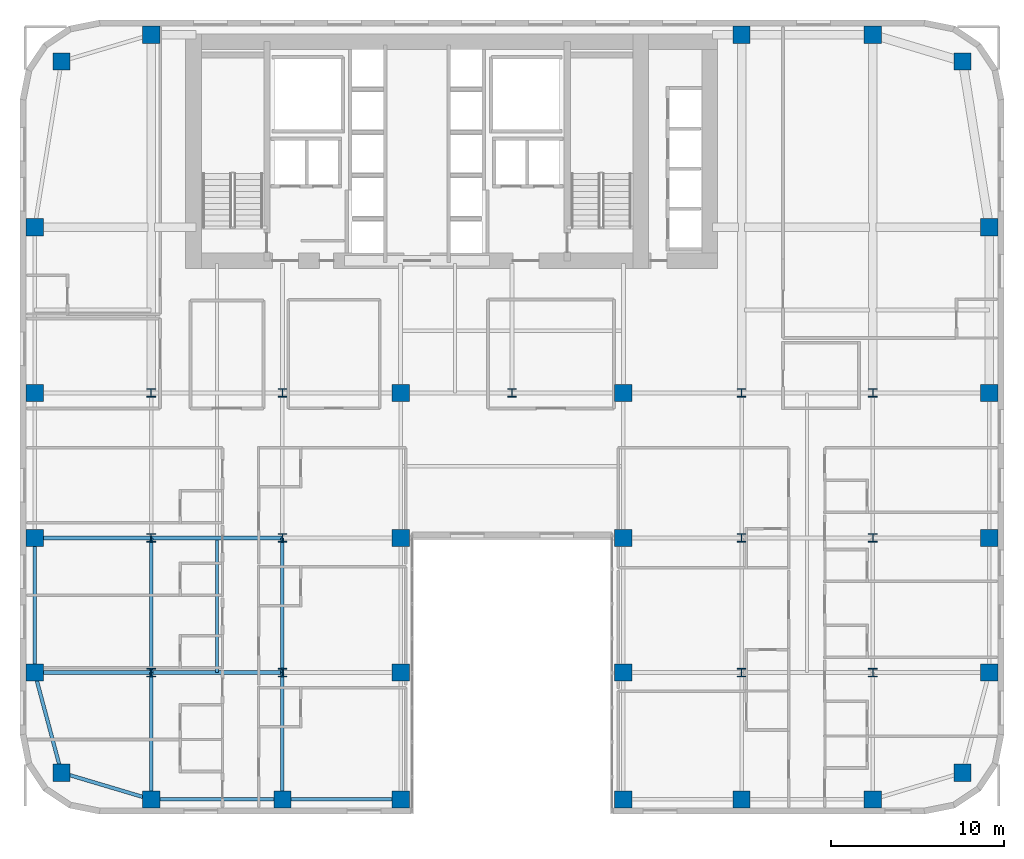
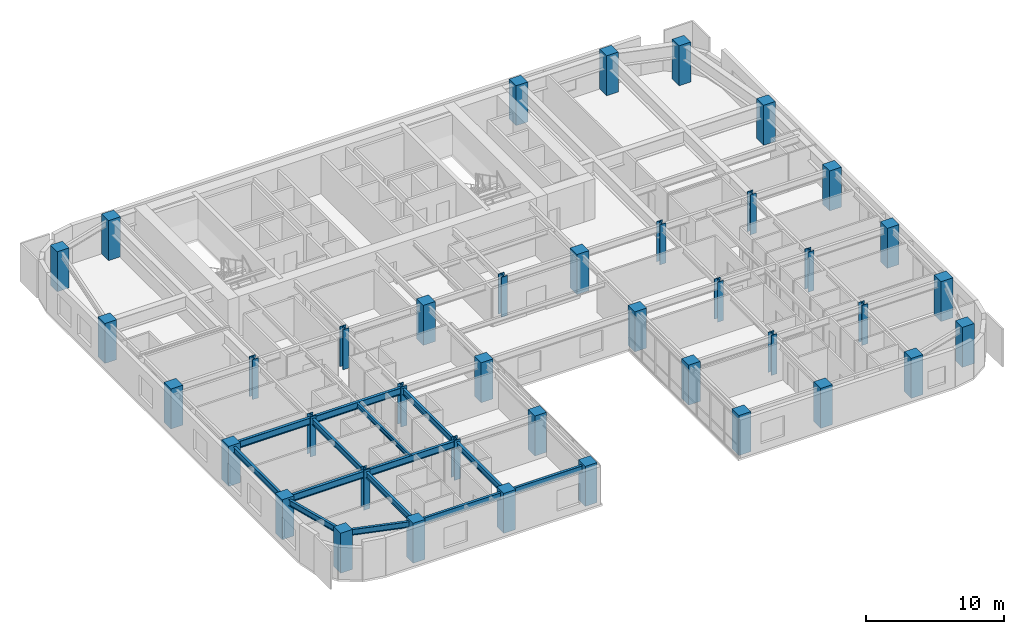
# One storey, part 1 of 17: 40 columns, 14 beams.
"""IFC4 building model written with IfcOpenShell, lengths in metres."""

from ifc_helpers import new_model, si_unit, direction, frame, origin, origin_2d, place, context, subcontext, project, spatial, rectangle, i_section, extrude, source, transform, mapped, material, material_profile, profile_set, type_object, type_shapes, element, save


model = new_model("IFC4")

# Units and contexts
model_context = context("Model", 3, precision=1e-05, world=origin(), true_north=direction((0.0, 1.0)))
body_context = subcontext(model_context, "Body", "Model", "MODEL_VIEW")
ifc_project = project(units=[si_unit("LENGTHUNIT", "METRE"), si_unit("AREAUNIT", "SQUARE_METRE"), si_unit("VOLUMEUNIT", "CUBIC_METRE"), si_unit("PLANEANGLEUNIT", "RADIAN"), si_unit("MASSUNIT", "GRAM", prefix="KILO")], contexts=[model_context])

# Site, building, storey
site_placement = place(None, origin())
site = spatial("IfcSite", under=ifc_project, at=site_placement, CompositionType="ELEMENT")
building_placement = place(site_placement, origin())
building = spatial("IfcBuilding", under=site, at=building_placement, Name="Tolvann Quenvar Hotel", CompositionType="ELEMENT")
storey_placement = place(building_placement, frame((0.0, 0.0, 35.550048828125)))
storey = spatial("IfcBuildingStorey", under=building, at=storey_placement, Name="L07", CompositionType="ELEMENT", Elevation=35.550048828125)

# Columns
ifc_material_1 = material(Name="Concrete S65 (65 MPa)", Category="concrete")
ifc_material_profile_1 = material_profile(ifc_material_1, rectangle(XDim=1.0, YDim=1.0, at=origin_2d()), Name="RC1000x1000")
ifc_profile_set_1 = profile_set([ifc_material_profile_1], Name="Concrete S65 (65 MPa)")
column_type_1 = type_object("IfcColumnType", Name="COL_RC1000", PredefinedType="COLUMN", material=ifc_profile_set_1)
shared_shape_1 = source(origin(), body_context, "Body", "SweptSolid", [
    extrude(rectangle(XDim=1.0, YDim=1.0, at=origin_2d()), origin(), (0.0, 0.0, 1.0), 3.550048828125),
])
type_shapes(column_type_1, [shared_shape_1])
for number, where, z_axis, x_axis, name in (
    (1, (2.39990234375, 2.39990234375, 0.0), (0.0, 0.0, 1.0), (1.0, 0.0, 0.0), "Column B2 (L07)"),
    (2, (0.85009765625, 8.199951171875, 0.0), (0.0, 0.0, 1.0), (1.0, 0.0, 0.0), "Column B3 (L07)"),
    (3, (0.85009765625, 16.0, 0.0), (0.0, 0.0, 1.0), (1.0, 0.0, 0.0), "Column B4 (L07)"),
    (4, (0.85009765625, 24.39990234375, 0.0), (0.0, 0.0, 1.0), (1.0, 0.0, 0.0), "Column B5 (L07)"),
    (5, (7.60009765625, 0.85009765625, 0.0), (0.0, 0.0, 1.0), (1.0, 0.0, 0.0), "Column C2 (L07)"),
    (6, (15.199951171875, 0.85009765625, 0.0), (0.0, 0.0, 1.0), (1.0, 0.0, 0.0), "Column D2 (L07)"),
    (7, (22.050048828125, 0.85009765625, 0.0), (0.0, 0.0, 1.0), (1.0, 0.0, 0.0), "Column E2 (L07)"),
    (8, (22.050048828125, 8.199951171875, 0.0), (0.0, 0.0, 1.0), (1.0, 0.0, 0.0), "Column E3 (L07)"),
    (9, (22.050048828125, 16.0, 0.0), (0.0, 0.0, 1.0), (1.0, 0.0, 0.0), "Column E4 (L07)"),
    (10, (22.050048828125, 24.39990234375, 0.0), (0.0, 0.0, 1.0), (1.0, 0.0, 0.0), "Column E5 (L07)"),
    (11, (34.949951171875, 0.85009765625, 0.0), (0.0, 0.0, 1.0), (1.0, 0.0, 0.0), "Column F2 (L07)"),
    (12, (34.949951171875, 8.199951171875, 0.0), (0.0, 0.0, 1.0), (1.0, 0.0, 0.0), "Column F3 (L07)"),
    (13, (34.949951171875, 16.0, 0.0), (0.0, 0.0, 1.0), (1.0, 0.0, 0.0), "Column F4 (L07)"),
    (14, (34.949951171875, 24.39990234375, 0.0), (0.0, 0.0, 1.0), (1.0, 0.0, 0.0), "Column F5 (L07)"),
    (15, (41.800048828125, 0.85009765625, 0.0), (0.0, 0.0, 1.0), (1.0, 0.0, 0.0), "Column H2 (L07)"),
    (16, (49.39990234375, 0.85009765625, 0.0), (0.0, 0.0, 1.0), (1.0, 0.0, 0.0), "Column I2 (L07)"),
    (17, (54.60009765625, 2.39990234375, 0.0), (0.0, 0.0, 1.0), (1.0, 0.0, 0.0), "Column J2 (L07)"),
    (18, (56.14990234375, 8.199951171875, 0.0), (0.0, 0.0, 1.0), (1.0, 0.0, 0.0), "Column J3 (L07)"),
    (19, (56.14990234375, 16.0, 0.0), (0.0, 0.0, 1.0), (1.0, 0.0, 0.0), "Column J4 (L07)"),
    (20, (56.14990234375, 24.39990234375, 0.0), (0.0, 0.0, 1.0), (1.0, 0.0, 0.0), "Column J5 (L07)"),
    (21, (2.39990234375, 43.60009765625, 0.0), (0.0, 0.0, 1.0), (1.0, 0.0, 0.0), "Column BN (L07)"),
    (22, (7.60009765625, 45.14990234375, 0.0), (0.0, 0.0, 1.0), (1.0, 0.0, 0.0), "Column CN (L07)"),
    (23, (0.85009765625, 34.0, 0.0), (0.0, 0.0, 1.0), (1.0, 0.0, 0.0), "Column BD6 (L07)"),
    (24, (41.800048828125, 45.14990234375, 0.0), (0.0, 0.0, 1.0), (1.0, 0.0, 0.0), "Column HN (L07)"),
    (25, (49.39990234375, 45.14990234375, 0.0), (0.0, 0.0, 1.0), (1.0, 0.0, 0.0), "Column IN (L07)"),
    (26, (54.60009765625, 43.60009765625, 0.0), (0.0, 0.0, 1.0), (1.0, 0.0, 0.0), "Column JN (L07)"),
    (27, (56.14990234375, 34.0, 0.0), (0.0, 0.0, 1.0), (1.0, 0.0, 0.0), "Column JD6 (L07)"),
):
    element("IfcColumn", number, at=place(storey_placement, frame(where, z_axis=z_axis, x_axis=x_axis)), inside=storey, type_object=column_type_1, Name=name, PredefinedType="COLUMN", context=body_context, shape_type="MappedRepresentation", body=[
        mapped(shared_shape_1, transform((0.0, 0.0, 0.0), x_axis=(1.0, 0.0, 0.0), y_axis=(0.0, 1.0, 0.0), z_axis=(0.0, 0.0, 1.0), scale=1.0)),
    ])
ifc_material_2 = material(Name="Steel Grade 350", Category="steel")
ifc_material_profile_2 = material_profile(ifc_material_2, i_section(OverallWidth=0.5, OverallDepth=0.5, WebThickness=0.028076171875, FlangeThickness=0.044921875, at=origin_2d()), Name="500WC440")
ifc_profile_set_2 = profile_set([ifc_material_profile_2], Name="Steel Grade 350")
column_type_2 = type_object("IfcColumnType", Name="COL_500WC440", PredefinedType="COLUMN", material=ifc_profile_set_2)
shared_shape_2 = source(origin(), body_context, "Body", "SweptSolid", [
    extrude(i_section(OverallWidth=0.5, OverallDepth=0.5, WebThickness=0.028076171875, FlangeThickness=0.044921875, at=origin_2d()), origin(), (0.0, 0.0, 1.0), 3.550048828125),
])
type_shapes(column_type_2, [shared_shape_2])
for number, where, z_axis, x_axis, name in (
    (28, (7.60009765625, 8.199951171875, 0.0), (0.0, 0.0, 1.0), (1.0, 0.0, 0.0), "Column C3 (L07)"),
    (29, (7.60009765625, 16.0, 0.0), (0.0, 0.0, 1.0), (1.0, 0.0, 0.0), "Column C4 (L07)"),
    (30, (7.60009765625, 24.39990234375, 0.0), (0.0, 0.0, 1.0), (1.0, 0.0, 0.0), "Column C5 (L07)"),
    (31, (15.199951171875, 8.199951171875, 0.0), (0.0, 0.0, 1.0), (1.0, 0.0, 0.0), "Column D3 (L07)"),
    (32, (15.199951171875, 16.0, 0.0), (0.0, 0.0, 1.0), (1.0, 0.0, 0.0), "Column D4 (L07)"),
    (33, (15.199951171875, 24.39990234375, 0.0), (0.0, 0.0, 1.0), (1.0, 0.0, 0.0), "Column D5 (L07)"),
    (34, (41.800048828125, 8.199951171875, 0.0), (0.0, 0.0, 1.0), (1.0, 0.0, 0.0), "Column H3 (L07)"),
    (35, (41.800048828125, 16.0, 0.0), (0.0, 0.0, 1.0), (1.0, 0.0, 0.0), "Column H4 (L07)"),
    (36, (41.800048828125, 24.39990234375, 0.0), (0.0, 0.0, 1.0), (1.0, 0.0, 0.0), "Column H5 (L07)"),
    (37, (49.39990234375, 8.199951171875, 0.0), (0.0, 0.0, 1.0), (1.0, 0.0, 0.0), "Column I3 (L07)"),
    (38, (49.39990234375, 16.0, 0.0), (0.0, 0.0, 1.0), (1.0, 0.0, 0.0), "Column I4 (L07)"),
    (39, (49.39990234375, 24.39990234375, 0.0), (0.0, 0.0, 1.0), (1.0, 0.0, 0.0), "Column I5 (L07)"),
    (40, (28.5, 24.39990234375, 0.0), (0.0, 0.0, 1.0), (1.0, 0.0, 0.0), "Column M5 (L07)"),
):
    element("IfcColumn", number, at=place(storey_placement, frame(where, z_axis=z_axis, x_axis=x_axis)), inside=storey, type_object=column_type_2, Name=name, PredefinedType="COLUMN", context=body_context, shape_type="MappedRepresentation", body=[
        mapped(shared_shape_2, transform((0.0, 0.0, 0.0), x_axis=(1.0, 0.0, 0.0), y_axis=(0.0, 1.0, 0.0), z_axis=(0.0, 0.0, 1.0), scale=1.0)),
    ])

# Beams
ifc_material_profile_3 = material_profile(ifc_material_2, i_section(OverallWidth=0.208984375, OverallDepth=0.528076171875, WebThickness=0.009521484375, FlangeThickness=0.01318359375, FilletRadius=0.013916015625, at=origin_2d()), Name="530UB82")
ifc_profile_set_3 = profile_set([ifc_material_profile_3], Name="Steel Grade 350")
beam_type_1 = type_object("IfcBeamType", Name="BM_SPAND_530UB82", PredefinedType="SPANDREL", material=ifc_profile_set_3)
shared_shape_3 = source(origin(), body_context, "Body", "SweptSolid", [
    extrude(i_section(OverallWidth=0.208984375, OverallDepth=0.528076171875, WebThickness=0.009521484375, FlangeThickness=0.01318359375, FilletRadius=0.013916015625, at=origin_2d()), origin(), (0.0, 0.0, 1.0), 5.42626953125),
])
beam_1_placement = place(storey_placement, frame((2.39990234375, 2.39990234375, 3.10595703125), z_axis=(0.958344815522, -0.285613750654, 0.0), x_axis=(0.285613750654, 0.958344815522, 0.0)))
element("IfcBeam", 41, at=beam_1_placement, inside=storey, type_object=beam_type_1, Name="BM-L07-EW-2-B2-C2", PredefinedType="SPANDREL", context=body_context, shape_type="MappedRepresentation", body=[
    mapped(shared_shape_3, transform((0.0, 0.0, 0.0), x_axis=(1.0, 0.0, 0.0), y_axis=(0.0, 1.0, 0.0), z_axis=(0.0, 0.0, 1.0), scale=1.0)),
])
shared_shape_4 = source(origin(), body_context, "Body", "SweptSolid", [
    extrude(i_section(OverallWidth=0.208984375, OverallDepth=0.528076171875, WebThickness=0.009521484375, FlangeThickness=0.01318359375, FilletRadius=0.013916015625, at=origin_2d()), origin(), (0.0, 0.0, 1.0), 7.599853515625),
])
beam_2_placement = place(storey_placement, frame((7.60009765625, 0.85009765625, 3.10595703125), z_axis=(1.0, 0.0, 0.0), x_axis=(0.0, 1.0, 0.0)))
element("IfcBeam", 42, at=beam_2_placement, inside=storey, type_object=beam_type_1, Name="BM-L07-EW-2-C2-D2", PredefinedType="SPANDREL", context=body_context, shape_type="MappedRepresentation", body=[
    mapped(shared_shape_4, transform((0.0, 0.0, 0.0), x_axis=(1.0, 0.0, 0.0), y_axis=(0.0, 1.0, 0.0), z_axis=(0.0, 0.0, 1.0), scale=1.0)),
])
shared_shape_5 = source(origin(), body_context, "Body", "SweptSolid", [
    extrude(i_section(OverallWidth=0.208984375, OverallDepth=0.528076171875, WebThickness=0.009521484375, FlangeThickness=0.01318359375, FilletRadius=0.013916015625, at=origin_2d()), origin(), (0.0, 0.0, 1.0), 6.85009765625),
])
beam_3_placement = place(storey_placement, frame((15.199951171875, 0.85009765625, 3.10595703125), z_axis=(1.0, 0.0, 0.0), x_axis=(0.0, 1.0, 0.0)))
element("IfcBeam", 43, at=beam_3_placement, inside=storey, type_object=beam_type_1, Name="BM-L07-EW-2-D2-E2", PredefinedType="SPANDREL", context=body_context, shape_type="MappedRepresentation", body=[
    mapped(shared_shape_5, transform((0.0, 0.0, 0.0), x_axis=(1.0, 0.0, 0.0), y_axis=(0.0, 1.0, 0.0), z_axis=(0.0, 0.0, 1.0), scale=1.0)),
])
ifc_material_profile_4 = material_profile(ifc_material_2, i_section(OverallWidth=0.22900390625, OverallDepth=0.612060546875, WebThickness=0.011962890625, FlangeThickness=0.01953125, FilletRadius=0.013916015625, at=origin_2d()), Name="610UB125")
ifc_profile_set_4 = profile_set([ifc_material_profile_4], Name="Steel Grade 350")
beam_type_2 = type_object("IfcBeamType", Name="BM_GIRD_610UB125", PredefinedType="BEAM", material=ifc_profile_set_4)
shared_shape_6 = source(origin(), body_context, "Body", "SweptSolid", [
    extrude(i_section(OverallWidth=0.22900390625, OverallDepth=0.612060546875, WebThickness=0.011962890625, FlangeThickness=0.01953125, FilletRadius=0.013916015625, at=origin_2d()), origin(), (0.0, 0.0, 1.0), 6.75),
])
for number, where, z_axis, x_axis, name in (
    (44, (0.85009765625, 8.199951171875, 3.06396484375), (1.0, 0.0, 0.0), (0.0, 1.0, 0.0), "BM-L07-EW-3-B3-C3"),
    (45, (0.85009765625, 16.0, 3.06396484375), (1.0, 0.0, 0.0), (0.0, 1.0, 0.0), "BM-L07-EW-4-B4-C4"),
):
    element("IfcBeam", number, at=place(storey_placement, frame(where, z_axis=z_axis, x_axis=x_axis)), inside=storey, type_object=beam_type_2, Name=name, PredefinedType="BEAM", context=body_context, shape_type="MappedRepresentation", body=[
        mapped(shared_shape_6, transform((0.0, 0.0, 0.0), x_axis=(1.0, 0.0, 0.0), y_axis=(0.0, 1.0, 0.0), z_axis=(0.0, 0.0, 1.0), scale=1.0)),
    ])
shared_shape_7 = source(origin(), body_context, "Body", "SweptSolid", [
    extrude(i_section(OverallWidth=0.22900390625, OverallDepth=0.612060546875, WebThickness=0.011962890625, FlangeThickness=0.01953125, FilletRadius=0.013916015625, at=origin_2d()), origin(), (0.0, 0.0, 1.0), 7.599853515625),
])
type_shapes(beam_type_2, [shared_shape_6, shared_shape_7])
for number, where, z_axis, x_axis, name in (
    (46, (7.60009765625, 8.199951171875, 3.06396484375), (1.0, 0.0, 0.0), (0.0, 1.0, 0.0), "BM-L07-EW-3-C3-D3"),
    (47, (7.60009765625, 16.0, 3.06396484375), (1.0, 0.0, 0.0), (0.0, 1.0, 0.0), "BM-L07-EW-4-C4-D4"),
):
    element("IfcBeam", number, at=place(storey_placement, frame(where, z_axis=z_axis, x_axis=x_axis)), inside=storey, type_object=beam_type_2, Name=name, PredefinedType="BEAM", context=body_context, shape_type="MappedRepresentation", body=[
        mapped(shared_shape_7, transform((0.0, 0.0, 0.0), x_axis=(1.0, 0.0, 0.0), y_axis=(0.0, 1.0, 0.0), z_axis=(0.0, 0.0, 1.0), scale=1.0)),
    ])
shared_shape_8 = source(origin(), body_context, "Body", "SweptSolid", [
    extrude(i_section(OverallWidth=0.208984375, OverallDepth=0.528076171875, WebThickness=0.009521484375, FlangeThickness=0.01318359375, FilletRadius=0.013916015625, at=origin_2d()), origin(), (0.0, 0.0, 1.0), 6.00341796875),
])
beam_4_placement = place(storey_placement, frame((2.39990234375, 2.39990234375, 3.10595703125), z_axis=(-0.258148586649, 0.966105225745, 0.0), x_axis=(-0.966105225745, -0.258148586649, 0.0)))
element("IfcBeam", 48, at=beam_4_placement, inside=storey, type_object=beam_type_1, Name="BM-L07-NS-B2-B3", PredefinedType="SPANDREL", context=body_context, shape_type="MappedRepresentation", body=[
    mapped(shared_shape_8, transform((0.0, 0.0, 0.0), x_axis=(1.0, 0.0, 0.0), y_axis=(0.0, 1.0, 0.0), z_axis=(0.0, 0.0, 1.0), scale=1.0)),
])
shared_shape_9 = source(origin(), body_context, "Body", "SweptSolid", [
    extrude(i_section(OverallWidth=0.208984375, OverallDepth=0.528076171875, WebThickness=0.009521484375, FlangeThickness=0.01318359375, FilletRadius=0.013916015625, at=origin_2d()), origin(), (0.0, 0.0, 1.0), 7.800048828125),
])
type_shapes(beam_type_1, [shared_shape_3, shared_shape_4, shared_shape_5, shared_shape_8, shared_shape_9])
beam_5_placement = place(storey_placement, frame((0.85009765625, 8.199951171875, 3.10595703125), z_axis=(0.0, 1.0, 0.0), x_axis=(-1.0, 0.0, 0.0)))
element("IfcBeam", 49, at=beam_5_placement, inside=storey, type_object=beam_type_1, Name="BM-L07-NS-B3-B4", PredefinedType="SPANDREL", context=body_context, shape_type="MappedRepresentation", body=[
    mapped(shared_shape_9, transform((0.0, 0.0, 0.0), x_axis=(1.0, 0.0, 0.0), y_axis=(0.0, 1.0, 0.0), z_axis=(0.0, 0.0, 1.0), scale=1.0)),
])
ifc_material_profile_5 = material_profile(ifc_material_2, i_section(OverallWidth=0.208984375, OverallDepth=0.532958984375, WebThickness=0.01025390625, FlangeThickness=0.015625, FilletRadius=0.013916015625, at=origin_2d()), Name="530UB92")
ifc_profile_set_5 = profile_set([ifc_material_profile_5], Name="Steel Grade 350")
beam_type_3 = type_object("IfcBeamType", Name="BM_GIRD_530UB92", PredefinedType="BEAM", material=ifc_profile_set_5)
shared_shape_10 = source(origin(), body_context, "Body", "SweptSolid", [
    extrude(i_section(OverallWidth=0.208984375, OverallDepth=0.532958984375, WebThickness=0.01025390625, FlangeThickness=0.015625, FilletRadius=0.013916015625, at=origin_2d()), origin(), (0.0, 0.0, 1.0), 7.349853515625),
])
for number, where, z_axis, x_axis, name in (
    (50, (7.60009765625, 0.85009765625, 3.103515625), (0.0, 1.0, 0.0), (-1.0, 0.0, 0.0), "BM-L07-NS-C2-C3"),
    (51, (15.199951171875, 0.85009765625, 3.103515625), (0.0, 1.0, 0.0), (-1.0, 0.0, 0.0), "BM-L07-NS-D2-D3"),
):
    element("IfcBeam", number, at=place(storey_placement, frame(where, z_axis=z_axis, x_axis=x_axis)), inside=storey, type_object=beam_type_3, Name=name, PredefinedType="BEAM", context=body_context, shape_type="MappedRepresentation", body=[
        mapped(shared_shape_10, transform((0.0, 0.0, 0.0), x_axis=(1.0, 0.0, 0.0), y_axis=(0.0, 1.0, 0.0), z_axis=(0.0, 0.0, 1.0), scale=1.0)),
    ])
shared_shape_11 = source(origin(), body_context, "Body", "SweptSolid", [
    extrude(i_section(OverallWidth=0.208984375, OverallDepth=0.532958984375, WebThickness=0.01025390625, FlangeThickness=0.015625, FilletRadius=0.013916015625, at=origin_2d()), origin(), (0.0, 0.0, 1.0), 7.800048828125),
])
type_shapes(beam_type_3, [shared_shape_10, shared_shape_11])
for number, where, z_axis, x_axis, name in (
    (52, (7.60009765625, 8.199951171875, 3.103515625), (0.0, 1.0, 0.0), (-1.0, 0.0, 0.0), "BM-L07-NS-C3-C4"),
    (53, (15.199951171875, 8.199951171875, 3.103515625), (0.0, 1.0, 0.0), (-1.0, 0.0, 0.0), "BM-L07-NS-D3-D4"),
):
    element("IfcBeam", number, at=place(storey_placement, frame(where, z_axis=z_axis, x_axis=x_axis)), inside=storey, type_object=beam_type_3, Name=name, PredefinedType="BEAM", context=body_context, shape_type="MappedRepresentation", body=[
        mapped(shared_shape_11, transform((0.0, 0.0, 0.0), x_axis=(1.0, 0.0, 0.0), y_axis=(0.0, 1.0, 0.0), z_axis=(0.0, 0.0, 1.0), scale=1.0)),
    ])
ifc_material_profile_6 = material_profile(ifc_material_2, i_section(OverallWidth=0.177978515625, OverallDepth=0.406005859375, WebThickness=0.0078125, FlangeThickness=0.0126953125, FilletRadius=0.011474609375, at=origin_2d()), Name="410UB60")
ifc_profile_set_6 = profile_set([ifc_material_profile_6], Name="Steel Grade 350")
beam_type_4 = type_object("IfcBeamType", Name="BM_JOIST_410UB60", PredefinedType="JOIST", material=ifc_profile_set_6)
shared_shape_12 = source(origin(), body_context, "Body", "SweptSolid", [
    extrude(i_section(OverallWidth=0.177978515625, OverallDepth=0.406005859375, WebThickness=0.0078125, FlangeThickness=0.0126953125, FilletRadius=0.011474609375, at=origin_2d()), origin(), (0.0, 0.0, 1.0), 7.691650390625),
])
type_shapes(beam_type_4, [shared_shape_12])
beam_6_placement = place(storey_placement, frame((11.39990234375, 8.199951171875, 3.1669921875), z_axis=(0.0, 1.0, 0.0), x_axis=(-1.0, 0.0, 0.0)))
element("IfcBeam", 54, at=beam_6_placement, inside=storey, type_object=beam_type_4, Name="BJ-L07-114-82", PredefinedType="JOIST", context=body_context, shape_type="MappedRepresentation", body=[
    mapped(shared_shape_12, transform((0.0, 0.0, 0.0), x_axis=(1.0, 0.0, 0.0), y_axis=(0.0, 1.0, 0.0), z_axis=(0.0, 0.0, 1.0), scale=1.0)),
])

save(model, "model.ifc")
